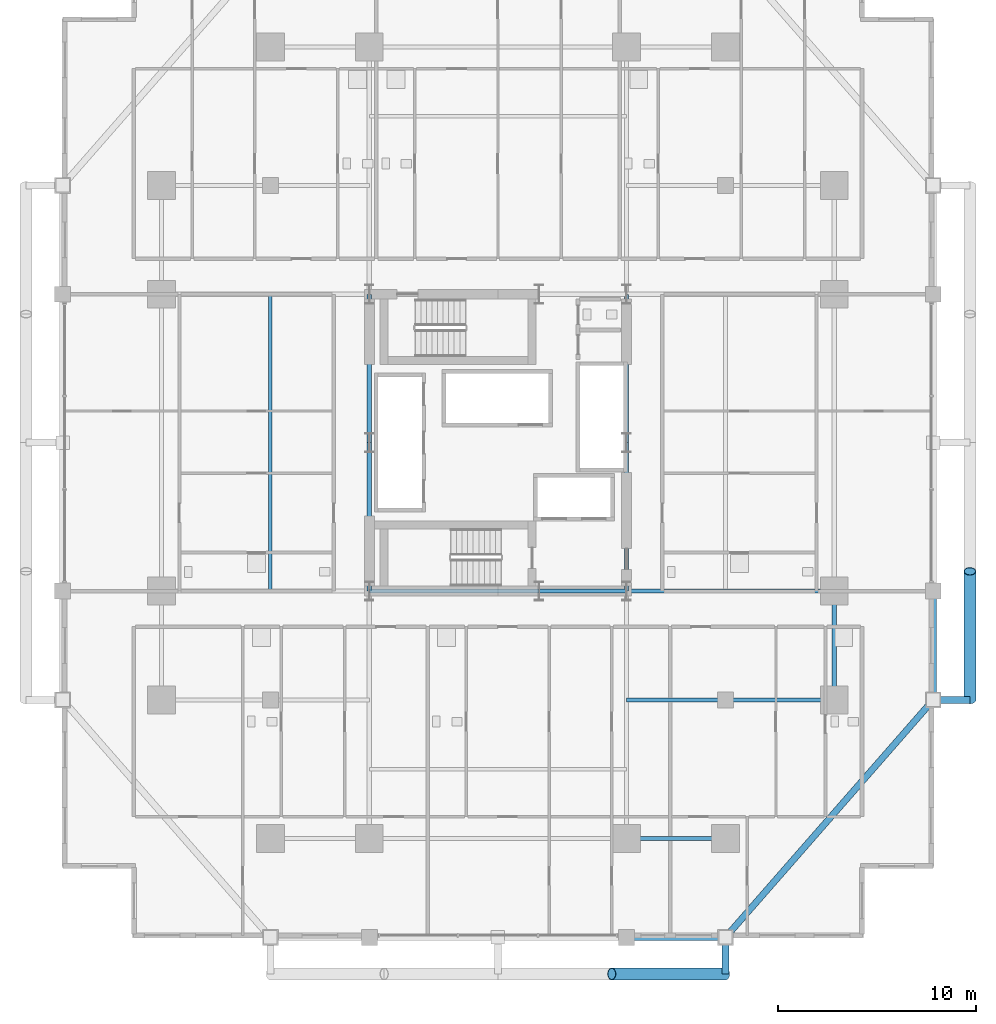
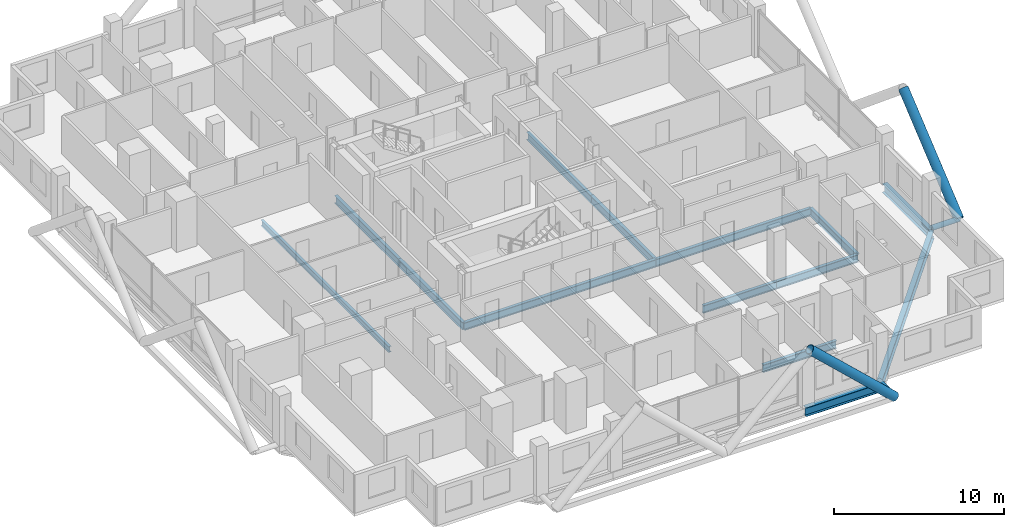
# One storey, part 9 of 28: 15 beams, 4 members.
"""IFC4 building model written with IfcOpenShell, lengths in metres."""

import ifcopenshell
import ifcopenshell.guid

model = None  # the IFC model being written
_history = None  # IfcOwnerHistory: only IFC2X3 demands one
_inside = {}  # id of a spatial element -> (the spatial element, [elements in it])
_under = {}  # id of a project, library or spatial element -> (it, [spatial elements below it])
_declared = {}  # id of a project -> (the project, [libraries it declares])
_typed = {}  # id of a type object -> (the type object, [elements of that type])
_made_of = {}  # id of a material, layer set ... -> (it, [elements and type objects made of it])


def new_model(schema):
    """Start an empty IFC model of exactly this schema.

    Asked for "IFC4X3", IfcOpenShell would pick the latest addendum, in which some entities
    have other attributes; the version numbers below select the first issue.
    IFC2X3 requires an IfcOwnerHistory on every rooted entity: one is made here for all.
    """
    global model, _history
    if schema == "IFC4X3":
        model = ifcopenshell.file(schema_version=(4, 3, 0, 0))
    else:
        model = ifcopenshell.file(schema=schema)
    _inside.clear()
    _under.clear()
    _declared.clear()
    _typed.clear()
    _made_of.clear()
    _history = None
    if model.schema == "IFC2X3":
        org = make("IfcOrganization", Name="unknown")
        user = make(
            "IfcPersonAndOrganization",
            ThePerson=make("IfcPerson", FamilyName="unknown"),
            TheOrganization=org,
        )
        app = make(
            "IfcApplication",
            ApplicationDeveloper=org,
            Version="unknown",
            ApplicationFullName="unknown",
            ApplicationIdentifier="unknown",
        )
        _history = make(
            "IfcOwnerHistory",
            OwningUser=user,
            OwningApplication=app,
            ChangeAction="ADDED",
            CreationDate=0,
        )
    return model


def make(cls, **values):
    """One entity of the class cls with the attributes given. An attribute that is None is left unset."""
    return model.create_entity(
        cls, **{name: value for name, value in values.items() if value is not None}
    )


def rooted(cls, **values):
    """An entity with a GlobalId (a new one), such as an element, a storey or a relation."""
    return make(cls, GlobalId=ifcopenshell.guid.new(), OwnerHistory=_history, **values)


def si_unit(unit_type, name, prefix=None):
    """IfcSIUnit, for example si_unit("LENGTHUNIT", "METRE", prefix="MILLI")."""
    return make("IfcSIUnit", UnitType=unit_type, Prefix=prefix, Name=name)


def assignment(units):
    """IfcUnitAssignment: the units of a project."""
    return None if units is None else make("IfcUnitAssignment", Units=units)


def point(xyz):
    """IfcCartesianPoint."""
    return None if xyz is None else make("IfcCartesianPoint", Coordinates=xyz)


def direction(xyz):
    """IfcDirection."""
    return None if xyz is None else make("IfcDirection", DirectionRatios=xyz)


def frame(location, z_axis=None, x_axis=None):
    """IfcAxis2Placement3D, a coordinate frame: its origin and axes. An axis left out is left unset."""
    return make(
        "IfcAxis2Placement3D",
        Location=point(location),
        Axis=direction(z_axis),
        RefDirection=direction(x_axis),
    )


def frame_2d(location, x_axis=None):
    """IfcAxis2Placement2D, a coordinate frame in the plane: its origin and x axis."""
    return make(
        "IfcAxis2Placement2D", Location=point(location), RefDirection=direction(x_axis)
    )


def origin():
    """The frame at (0, 0, 0) with its axes left unset."""
    return frame((0.0, 0.0, 0.0))


def origin_2d():
    """The frame at (0, 0) in the plane with its x axis left unset."""
    return frame_2d((0.0, 0.0))


def place(relative_to, where):
    """IfcLocalPlacement: puts the frame where relative to a parent placement (None: the world)."""
    return make(
        "IfcLocalPlacement", PlacementRelTo=relative_to, RelativePlacement=where
    )


def context(
    kind, dimensions, precision=None, world=None, true_north=None, identifier=None
):
    """IfcGeometricRepresentationContext, for example the 3D "Model" context."""
    return make(
        "IfcGeometricRepresentationContext",
        ContextIdentifier=identifier,
        ContextType=kind,
        CoordinateSpaceDimension=dimensions,
        Precision=precision,
        WorldCoordinateSystem=world,
        TrueNorth=true_north,
    )


def subcontext(parent, identifier, kind, view, scale=None):
    """IfcGeometricRepresentationSubContext, for example "Body" below "Model"."""
    return make(
        "IfcGeometricRepresentationSubContext",
        ContextIdentifier=identifier,
        ContextType=kind,
        ParentContext=parent,
        TargetScale=scale,
        TargetView=view,
    )


def project(units=None, contexts=None):
    """IfcProject with its units and contexts."""
    return rooted(
        "IfcProject",
        Name="project",
        RepresentationContexts=contexts,
        UnitsInContext=assignment(units),
    )


def spatial(cls, under=None, at=None, **own):
    """A site, building, storey or space (cls), placed at a placement, below another one or the project."""
    s = rooted(cls, ObjectPlacement=at, **own)
    if under is not None:
        _under.setdefault(under.id(), (under, []))[1].append(s)
    return s


def profile(cls, at=None, kind="AREA", **sizes):
    """A parametric profile (cls). Its sizes go by their IFC names, for example OverallWidth=200.0."""
    return make(cls, ProfileType=kind, Position=at, **sizes)


def hollow_circle(**sizes):
    """IfcCircleHollowProfileDef."""
    return profile("IfcCircleHollowProfileDef", **sizes)


def i_section(**sizes):
    """IfcIShapeProfileDef."""
    return profile("IfcIShapeProfileDef", **sizes)


def extrude(swept, where, along, depth):
    """IfcExtrudedAreaSolid: the profile swept, set in the frame where, extruded along a direction by depth."""
    return make(
        "IfcExtrudedAreaSolid",
        SweptArea=swept,
        Position=where,
        ExtrudedDirection=direction(along),
        Depth=depth,
    )


def shape(context_of_items, identifier, shape_type, items):
    """IfcShapeRepresentation: the items that make up one representation, for example the "Body"."""
    return make(
        "IfcShapeRepresentation",
        ContextOfItems=context_of_items,
        RepresentationIdentifier=identifier,
        RepresentationType=shape_type,
        Items=items,
    )


def material(Name=None, Category=None):
    """IfcMaterial."""
    return make("IfcMaterial", Name=Name, Category=Category)


def material_profile(
    of_material, cross_section, Name=None, Category=None, Priority=None
):
    """IfcMaterialProfile: a cross section and its material."""
    return make(
        "IfcMaterialProfile",
        Name=Name,
        Material=of_material,
        Profile=cross_section,
        Priority=Priority,
        Category=Category,
    )


def profile_set(profiles, Name=None, composite=None):
    """IfcMaterialProfileSet."""
    return make(
        "IfcMaterialProfileSet",
        Name=Name,
        MaterialProfiles=profiles,
        CompositeProfile=composite,
    )


def made_of(thing, what):
    """Note that an element or type object is made of a material, layer set ...; save() writes the relation."""
    if what is not None:
        _made_of.setdefault(what.id(), (what, []))[1].append(thing)
    return thing


def type_object(cls, material=None, **own):
    """A type object (cls), such as IfcWallType, which elements share."""
    return made_of(rooted(cls, **own), material)


def element(
    cls,
    number,
    at=None,
    inside=None,
    cuts=None,
    type_object=None,
    material=None,
    context=None,
    identifier="Body",
    shape_type=None,
    held_by="IfcProductDefinitionShape",
    body=None,
    shapes=None,
    **own,
):
    """One element of the class cls, such as IfcWall. Its Tag is "e" and its number.

    at: its placement. inside: the storey or other place that contains it. cuts: it is an
    opening in that element (IfcRelVoidsElement). A single representation is given by context,
    identifier, shape_type and body (its items); several are given by shapes. held_by: the class
    of the entity that holds the representations. save() writes the other relations.
    """
    e = rooted(cls, Tag="e%d" % number, ObjectPlacement=at, **own)
    if body is not None:
        shapes = [shape(context, identifier, shape_type, body)]
    if shapes is not None:
        e.Representation = make(held_by, Representations=shapes)
    if inside is not None:
        _inside.setdefault(inside.id(), (inside, []))[1].append(e)
    if cuts is not None:
        rooted(
            "IfcRelVoidsElement", RelatingBuildingElement=cuts, RelatedOpeningElement=e
        )
    if type_object is not None:
        _typed.setdefault(type_object.id(), (type_object, []))[1].append(e)
    return made_of(e, material)


def aggregate(whole, parts):
    """IfcRelAggregates: a whole, such as a stair, and the parts it consists of."""
    return rooted("IfcRelAggregates", RelatingObject=whole, RelatedObjects=parts)


def save(model, path):
    """Write the relations noted so far, then the file.

    IfcRelAggregates (storeys below a building ...), IfcRelContainedInSpatialStructure (elements
    in a storey), IfcRelDefinesByType, IfcRelAssociatesMaterial and IfcRelDeclares: one each for
    every whole, place, type object, material and project.
    """
    for whole, parts in _under.values():
        aggregate(whole, parts)
    for where, things in _inside.values():
        rooted(
            "IfcRelContainedInSpatialStructure",
            RelatedElements=things,
            RelatingStructure=where,
        )
    for kind, things in _typed.values():
        rooted("IfcRelDefinesByType", RelatedObjects=things, RelatingType=kind)
    for what, things in _made_of.values():
        rooted("IfcRelAssociatesMaterial", RelatedObjects=things, RelatingMaterial=what)
    for by, libraries in _declared.values():
        rooted("IfcRelDeclares", RelatingContext=by, RelatedDefinitions=libraries)
    model.write(path)


model = new_model("IFC4")

# Units and contexts
model_context = context("Model", 3, precision=1e-05, world=origin(), true_north=direction((0.0, 1.0)))
body_context = subcontext(model_context, "Body", "Model", "MODEL_VIEW")
ifc_project = project(units=[si_unit("LENGTHUNIT", "METRE"), si_unit("AREAUNIT", "SQUARE_METRE"), si_unit("VOLUMEUNIT", "CUBIC_METRE"), si_unit("PLANEANGLEUNIT", "RADIAN"), si_unit("MASSUNIT", "GRAM", prefix="KILO")], contexts=[model_context])

# Site, building, storey
site_placement = place(None, origin())
site = spatial("IfcSite", under=ifc_project, at=site_placement, CompositionType="ELEMENT")
building_placement = place(site_placement, origin())
building = spatial("IfcBuilding", under=site, at=building_placement, Name="Barlavira Tower and Art Museum", CompositionType="ELEMENT")
storey_placement = place(building_placement, frame((0.0, 0.0, 39.60009765625)))
storey = spatial("IfcBuildingStorey", under=building, at=storey_placement, Name="L08", CompositionType="ELEMENT", Elevation=39.60009765625)

# Members
ifc_material = material(Name="Steel S355", Category="steel")
ifc_material_profile_1 = material_profile(ifc_material, hollow_circle(Radius=0.304931640625, WallThickness=0.028076171875, at=origin_2d()), Name="CHS 610.0x28.0")
ifc_profile_set_1 = profile_set([ifc_material_profile_1], Name="Steel S355")
member_type_1 = type_object("IfcMemberType", Name="Pale-Metal Exoskeleton Diagrid Tube CHS 610x28 Steel S355", PredefinedType="BRACE", material=ifc_profile_set_1)
member_1_placement = place(storey_placement, frame((11.5, -26.85009765625, -0.1201171875), z_axis=(-0.728950095515, 0.0, 0.684566839869), x_axis=(0.0, -1.0, 0.0)))
element("IfcMember", 1, at=member_1_placement, inside=storey, type_object=member_type_1, Name="L08 Exoskeleton Diagrid Tube S", PredefinedType="BRACE", context=body_context, shape_type="SweptSolid", body=[
    extrude(hollow_circle(Radius=0.304931640625, WallThickness=0.028076171875, at=origin_2d()), origin(), (0.0, 0.0, 1.0), 7.887939453125),
])
member_2_placement = place(storey_placement, frame((23.85009765625, -13.0, -0.1201171875), z_axis=(0.0, 0.769196053329, 0.639012857104), x_axis=(-1.0, 0.0, 0.0)))
element("IfcMember", 2, at=member_2_placement, inside=storey, type_object=member_type_1, Name="L08 Exoskeleton Diagrid Tube E", PredefinedType="BRACE", context=body_context, shape_type="SweptSolid", body=[
    extrude(hollow_circle(Radius=0.304931640625, WallThickness=0.028076171875, at=origin_2d()), origin(), (0.0, 0.0, 1.0), 8.450439453125),
])
ifc_material_profile_2 = material_profile(ifc_material, hollow_circle(Radius=0.177734375, WallThickness=0.01611328125, at=origin_2d()), Name="CHS 355.6x16.0")
ifc_profile_set_2 = profile_set([ifc_material_profile_2], Name="Steel S355")
member_type_2 = type_object("IfcMemberType", Name="Pale-Metal Exoskeleton Tie Strut CHS 356x16 Steel S355", PredefinedType="STRUT", material=ifc_profile_set_2)
for number, where, z_axis, x_axis, name in (
    (3, (11.5, -26.85009765625, -0.1201171875), (0.0, 1.0, 0.0), (-1.0, 0.0, 0.0), "L08 Exoskeleton Tie Strut S3"),
    (4, (23.85009765625, -13.0, -0.1201171875), (-1.0, 0.0, 0.0), (0.0, -1.0, 0.0), "L08 Exoskeleton Tie Strut E1"),
):
    element("IfcMember", number, at=place(storey_placement, frame(where, z_axis=z_axis, x_axis=x_axis)), inside=storey, type_object=member_type_2, Name=name, PredefinedType="STRUT", context=body_context, shape_type="SweptSolid", body=[
        extrude(hollow_circle(Radius=0.177734375, WallThickness=0.01611328125, at=origin_2d()), origin(), (0.0, 0.0, 1.0), 1.85009765625),
    ])

# Beams
ifc_material_profile_3 = material_profile(ifc_material, i_section(OverallWidth=0.327880859375, OverallDepth=0.62890625, WebThickness=0.013916015625, FlangeThickness=0.021484375, at=origin_2d()), Name="W610x174.0")
ifc_profile_set_3 = profile_set([ifc_material_profile_3], Name="Steel S355")
beam_type_1 = type_object("IfcBeamType", Name="Perimeter Spandrel Edge Beam W610x174 Steel S355", PredefinedType="SPANDREL", material=ifc_profile_set_3)
beam_1_placement = place(storey_placement, frame((6.5, -25.0, -0.53466796875), z_axis=(1.0, 0.0, 0.0), x_axis=(0.0, 1.0, 0.0)))
element("IfcBeam", 5, at=beam_1_placement, inside=storey, type_object=beam_type_1, Name="L08 Spandrel 3", PredefinedType="SPANDREL", context=body_context, shape_type="SweptSolid", body=[
    extrude(i_section(OverallWidth=0.327880859375, OverallDepth=0.62890625, WebThickness=0.013916015625, FlangeThickness=0.021484375, at=origin_2d()), origin(), (0.0, 0.0, 1.0), 5.0),
])
beam_2_placement = place(storey_placement, frame((11.5, -25.0, -0.53466796875), z_axis=(0.658504607869, 0.752576694707, 0.0), x_axis=(-0.752576694707, 0.658504607869, 0.0)))
element("IfcBeam", 6, at=beam_2_placement, inside=storey, type_object=beam_type_1, Name="L08 Spandrel 4", PredefinedType="SPANDREL", context=body_context, shape_type="SweptSolid", body=[
    extrude(i_section(OverallWidth=0.327880859375, OverallDepth=0.62890625, WebThickness=0.013916015625, FlangeThickness=0.021484375, at=origin_2d()), origin(), (0.0, 0.0, 1.0), 15.9453125),
])
beam_3_placement = place(storey_placement, frame((22.0, -13.0, -0.53466796875), z_axis=(0.0, 1.0, 0.0), x_axis=(-1.0, 0.0, 0.0)))
element("IfcBeam", 7, at=beam_3_placement, inside=storey, type_object=beam_type_1, Name="L08 Spandrel 5", PredefinedType="SPANDREL", context=body_context, shape_type="SweptSolid", body=[
    extrude(i_section(OverallWidth=0.327880859375, OverallDepth=0.62890625, WebThickness=0.013916015625, FlangeThickness=0.021484375, at=origin_2d()), origin(), (0.0, 0.0, 1.0), 5.5),
])
ifc_material_profile_4 = material_profile(ifc_material, i_section(OverallWidth=0.180908203125, OverallDepth=0.4169921875, WebThickness=0.010986328125, FlangeThickness=0.018310546875, at=origin_2d()), Name="W410x85.0")
ifc_profile_set_4 = profile_set([ifc_material_profile_4], Name="Steel S355")
beam_type_2 = type_object("IfcBeamType", Name="Zone 1 Composite Floor Joist W410x85 Steel S355", PredefinedType="JOIST", material=ifc_profile_set_4)
beam_4_placement = place(storey_placement, frame((-11.5, -7.5, -0.4287109375), z_axis=(0.0, 1.0, 0.0), x_axis=(-1.0, 0.0, 0.0)))
element("IfcBeam", 8, at=beam_4_placement, inside=storey, type_object=beam_type_2, Name="L08 Joist W1", PredefinedType="JOIST", context=body_context, shape_type="SweptSolid", body=[
    extrude(i_section(OverallWidth=0.180908203125, OverallDepth=0.4169921875, WebThickness=0.010986328125, FlangeThickness=0.018310546875, at=origin_2d()), origin(), (0.0, 0.0, 1.0), 15.0),
])
ifc_material_profile_5 = material_profile(ifc_material, i_section(OverallWidth=0.214111328125, OverallDepth=0.549072265625, WebThickness=0.0146484375, FlangeThickness=0.023681640625, at=origin_2d()), Name="W530x138.0")
ifc_profile_set_5 = profile_set([ifc_material_profile_5], Name="Steel S355")
beam_type_3 = type_object("IfcBeamType", Name="Zone 1 Primary Floor Girder W530x138 Steel S355", PredefinedType="BEAM", material=ifc_profile_set_5)
beam_5_placement = place(storey_placement, frame((-6.5, -7.5, -0.49462890625), z_axis=(1.0, 0.0, 0.0), x_axis=(0.0, 1.0, 0.0)))
element("IfcBeam", 9, at=beam_5_placement, inside=storey, type_object=beam_type_3, Name="L08 Girder C-S1", PredefinedType="BEAM", context=body_context, shape_type="SweptSolid", body=[
    extrude(i_section(OverallWidth=0.214111328125, OverallDepth=0.549072265625, WebThickness=0.0146484375, FlangeThickness=0.023681640625, at=origin_2d()), origin(), (0.0, 0.0, 1.0), 8.580078125),
])
beam_6_placement = place(storey_placement, frame((2.080078125, -7.5, -0.49462890625), z_axis=(1.0, 0.0, 0.0), x_axis=(0.0, 1.0, 0.0)))
element("IfcBeam", 10, at=beam_6_placement, inside=storey, type_object=beam_type_3, Name="L08 Girder C-S2", PredefinedType="BEAM", context=body_context, shape_type="SweptSolid", body=[
    extrude(i_section(OverallWidth=0.214111328125, OverallDepth=0.549072265625, WebThickness=0.0146484375, FlangeThickness=0.023681640625, at=origin_2d()), origin(), (0.0, 0.0, 1.0), 4.419921875),
])
for number, where, z_axis, x_axis, name in (
    (11, (-6.5, -7.5, -0.49462890625), (0.0, 1.0, 0.0), (-1.0, 0.0, 0.0), "L08 Girder C-W1"),
    (12, (-6.5, 0.0, -0.49462890625), (0.0, 1.0, 0.0), (-1.0, 0.0, 0.0), "L08 Girder C-W2"),
    (13, (6.5, -7.5, -0.49462890625), (0.0, 1.0, 0.0), (-1.0, 0.0, 0.0), "L08 Girder C-E1"),
    (14, (6.5, 0.0, -0.49462890625), (0.0, 1.0, 0.0), (-1.0, 0.0, 0.0), "L08 Girder C-E2"),
):
    element("IfcBeam", number, at=place(storey_placement, frame(where, z_axis=z_axis, x_axis=x_axis)), inside=storey, type_object=beam_type_3, Name=name, PredefinedType="BEAM", context=body_context, shape_type="SweptSolid", body=[
        extrude(i_section(OverallWidth=0.214111328125, OverallDepth=0.549072265625, WebThickness=0.0146484375, FlangeThickness=0.023681640625, at=origin_2d()), origin(), (0.0, 0.0, 1.0), 7.5),
    ])
beam_7_placement = place(storey_placement, frame((6.5, -20.0, -0.49462890625), z_axis=(1.0, 0.0, 0.0), x_axis=(0.0, 1.0, 0.0)))
element("IfcBeam", 15, at=beam_7_placement, inside=storey, type_object=beam_type_3, Name="L08 Girder M-S3", PredefinedType="BEAM", context=body_context, shape_type="SweptSolid", body=[
    extrude(i_section(OverallWidth=0.214111328125, OverallDepth=0.549072265625, WebThickness=0.0146484375, FlangeThickness=0.023681640625, at=origin_2d()), origin(), (0.0, 0.0, 1.0), 5.0),
])
beam_8_placement = place(storey_placement, frame((17.0, -13.0, -0.49462890625), z_axis=(0.0, 1.0, 0.0), x_axis=(-1.0, 0.0, 0.0)))
element("IfcBeam", 16, at=beam_8_placement, inside=storey, type_object=beam_type_3, Name="L08 Girder M-E1", PredefinedType="BEAM", context=body_context, shape_type="SweptSolid", body=[
    extrude(i_section(OverallWidth=0.214111328125, OverallDepth=0.549072265625, WebThickness=0.0146484375, FlangeThickness=0.023681640625, at=origin_2d()), origin(), (0.0, 0.0, 1.0), 5.5),
])
beam_9_placement = place(storey_placement, frame((6.5, -7.5, -0.49462890625), z_axis=(1.0, 0.0, 0.0), x_axis=(0.0, 1.0, 0.0)))
element("IfcBeam", 17, at=beam_9_placement, inside=storey, type_object=beam_type_3, Name="L08 Girder R-E1", PredefinedType="BEAM", context=body_context, shape_type="SweptSolid", body=[
    extrude(i_section(OverallWidth=0.214111328125, OverallDepth=0.549072265625, WebThickness=0.0146484375, FlangeThickness=0.023681640625, at=origin_2d()), origin(), (0.0, 0.0, 1.0), 10.5),
])
beam_10_placement = place(storey_placement, frame((6.5, -13.0, -0.49462890625), z_axis=(1.0, 0.0, 0.0), x_axis=(0.0, 1.0, 0.0)))
element("IfcBeam", 18, at=beam_10_placement, inside=storey, type_object=beam_type_3, Name="L08 Girder I-S3", PredefinedType="BEAM", context=body_context, shape_type="SweptSolid", body=[
    extrude(i_section(OverallWidth=0.214111328125, OverallDepth=0.549072265625, WebThickness=0.0146484375, FlangeThickness=0.023681640625, at=origin_2d()), origin(), (0.0, 0.0, 1.0), 5.0),
])
beam_11_placement = place(storey_placement, frame((11.5, -13.0, -0.49462890625), z_axis=(1.0, 0.0, 0.0), x_axis=(0.0, 1.0, 0.0)))
element("IfcBeam", 19, at=beam_11_placement, inside=storey, type_object=beam_type_3, Name="L08 Girder I-S4", PredefinedType="BEAM", context=body_context, shape_type="SweptSolid", body=[
    extrude(i_section(OverallWidth=0.214111328125, OverallDepth=0.549072265625, WebThickness=0.0146484375, FlangeThickness=0.023681640625, at=origin_2d()), origin(), (0.0, 0.0, 1.0), 5.5),
])

save(model, "model.ifc")
